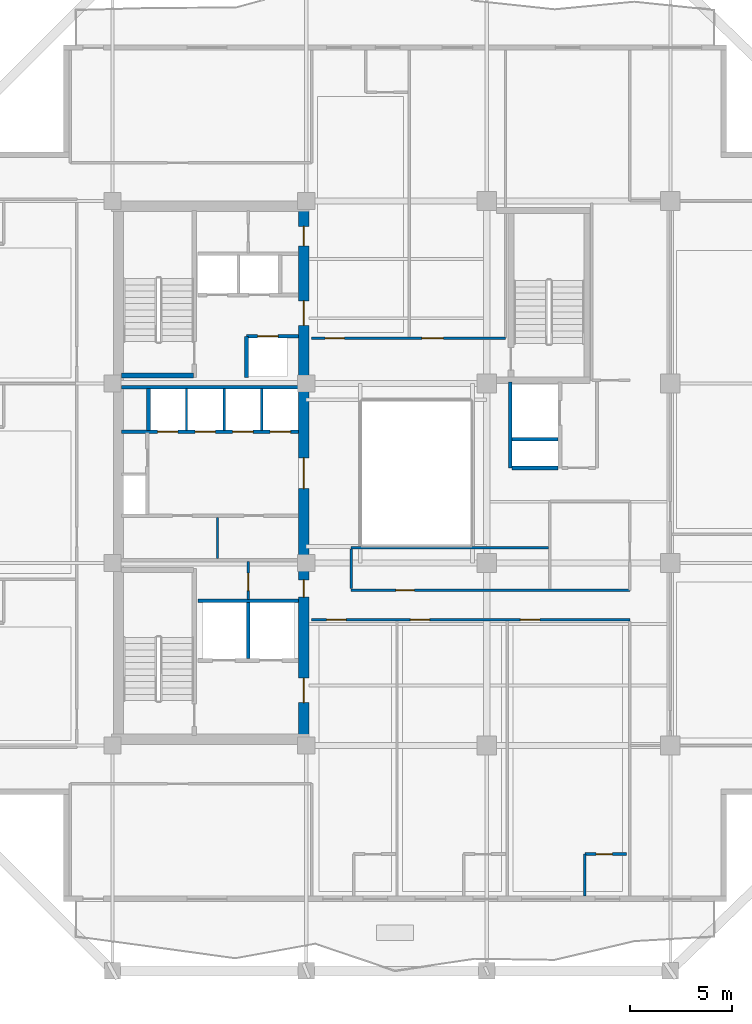
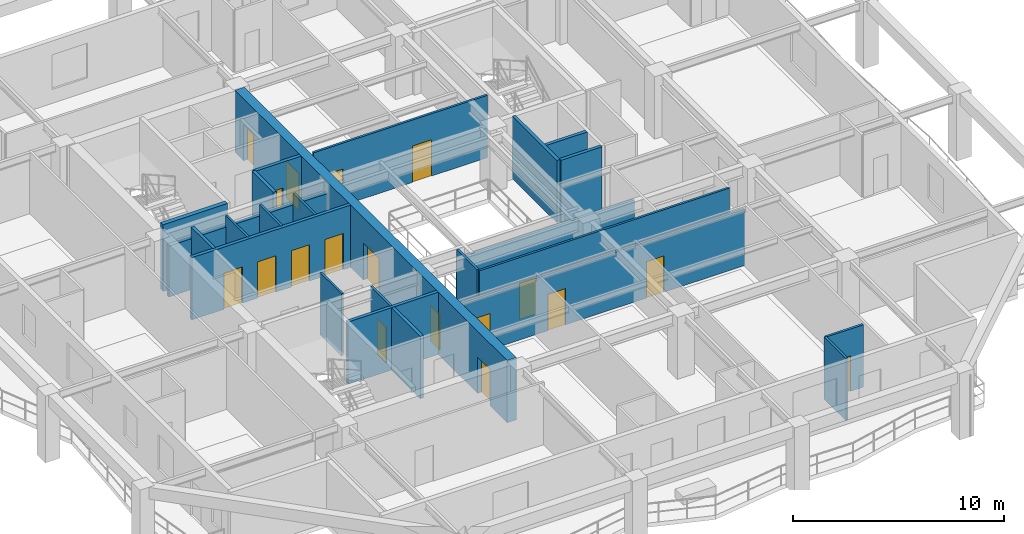
# One storey, part 4 of 13: 24 walls, 18 doors, 18 openings.
"""IFC4 building model written with IfcOpenShell, lengths in metres."""

from ifc_helpers import new_model, si_unit, direction, frame, frame_2d, origin, place, context, subcontext, project, spatial, rectangle, extrude, material, layer, layer_set, type_object, element, fill, save


model = new_model("IFC4")

# Units and contexts
model_context = context("Model", 3, precision=1e-05, world=origin(), true_north=direction((0.0, 1.0)))
body_context = subcontext(model_context, "Body", "Model", "MODEL_VIEW")
ifc_project = project(units=[si_unit("LENGTHUNIT", "METRE"), si_unit("AREAUNIT", "SQUARE_METRE"), si_unit("VOLUMEUNIT", "CUBIC_METRE"), si_unit("PLANEANGLEUNIT", "RADIAN"), si_unit("MASSUNIT", "GRAM", prefix="KILO")], contexts=[model_context])

# Site, building, storey
site_placement = place(None, origin())
site = spatial("IfcSite", under=ifc_project, at=site_placement, CompositionType="ELEMENT")
building_placement = place(site_placement, origin())
building = spatial("IfcBuilding", under=site, at=building_placement, Name="Kundavana Baori Tower", CompositionType="ELEMENT")
storey_placement = place(building_placement, frame((0.0, 0.0, 177.14990234375)))
storey = spatial("IfcBuildingStorey", under=building, at=storey_placement, Name="L43", CompositionType="ELEMENT", Elevation=177.14990234375)

# Wall
ifc_material_1 = material(Name="Concrete C50/60", Category="concrete")
ifc_layer_1 = layer(ifc_material_1, 0.39990234375, Name="WL-CORE-400")
ifc_layer_set_1 = layer_set([ifc_layer_1], Name="Concrete C50/60")
wall_type_1 = type_object("IfcWallType", Name="WL-CORE-400", PredefinedType="SHEAR", material=ifc_layer_set_1)
wall_1_placement = place(storey_placement, frame((15.89990234375, 33.389892578125, 0.0), z_axis=(0.0, 0.0, 1.0), x_axis=(1.0, 0.0, 0.0)))
element("IfcWall", 1, at=wall_1_placement, inside=storey, type_object=wall_type_1, Name="WL-L43-ST2-S", PredefinedType="SHEAR", context=body_context, shape_type="SweptSolid", body=[
    extrude(rectangle(XDim=3.52001953125, YDim=0.239990234375, at=frame_2d((1.760009765625, 0.0))), origin(), (0.0, 0.0, 1.0), 3.85009765625),
])

# Wall, openings, doors
ifc_material_2 = material(Name="Concrete C50/60", Category="concrete")
ifc_layer_2 = layer(ifc_material_2, 0.5, Name="WL-CORE-500")
ifc_layer_set_2 = layer_set([ifc_layer_2], Name="Concrete C50/60")
wall_type_2 = type_object("IfcWallType", Name="WL-CORE-500", PredefinedType="SHEAR", material=ifc_layer_set_2)
wall_2_placement = place(storey_placement, frame((24.830078125, 15.739990234375, 0.0), z_axis=(0.0, 0.0, 1.0), x_axis=(0.0, 1.0, 0.0)))
wall_2 = element("IfcWall", 2, at=wall_2_placement, inside=storey, type_object=wall_type_2, Name="L43 Offset Core East Shear Wall", PredefinedType="SHEAR", context=body_context, shape_type="SweptSolid", body=[
    extrude(rectangle(XDim=25.760009765625, YDim=0.5, at=frame_2d((12.8798828125, 0.0))), origin(), (0.0, 0.0, 1.0), 3.60009765625),
])
opening_1_placement = place(wall_2_placement, frame((1.610107421875, 0.0, 0.0)))
opening_1 = element("IfcOpeningElement", 3, at=opening_1_placement, cuts=wall_2, Name="Opening FD-120", PredefinedType="OPENING", context=body_context, shape_type="SweptSolid", body=[
    extrude(rectangle(XDim=1.199951171875, YDim=2.10009765625, at=frame_2d((0.60009765625, 1.050048828125))), frame((0.0, 0.260009765625, 0.0), z_axis=(0.0, -1.0, 0.0), x_axis=(1.0, 0.0, 0.0)), (0.0, 0.0, 1.0), 0.52001953125),
])
opening_2_placement = place(wall_2_placement, frame((6.780029296875, 0.0, 0.0)))
opening_2 = element("IfcOpeningElement", 4, at=opening_2_placement, cuts=wall_2, Name="Opening FD-085", PredefinedType="OPENING", context=body_context, shape_type="SweptSolid", body=[
    extrude(rectangle(XDim=0.85009765625, YDim=2.06005859375, at=frame_2d((0.425048828125, 1.030029296875))), frame((0.0, 0.260009765625, 0.0), z_axis=(0.0, -1.0, 0.0), x_axis=(1.0, 0.0, 0.0)), (0.0, 0.0, 1.0), 0.52001953125),
])
opening_3_placement = place(wall_2_placement, frame((12.110107421875, 0.0, 0.0)))
opening_3 = element("IfcOpeningElement", 5, at=opening_3_placement, cuts=wall_2, Name="Opening FD-150", PredefinedType="OPENING", context=body_context, shape_type="SweptSolid", body=[
    extrude(rectangle(XDim=1.5, YDim=2.1201171875, at=frame_2d((0.75, 1.06005859375))), frame((0.0, 0.260009765625, 0.0), z_axis=(0.0, -1.0, 0.0), x_axis=(1.0, 0.0, 0.0)), (0.0, 0.0, 1.0), 0.52001953125),
])
opening_4_placement = place(wall_2_placement, frame((20.110107421875, 0.0, 0.0)))
opening_4 = element("IfcOpeningElement", 6, at=opening_4_placement, cuts=wall_2, Name="Opening FD-122", PredefinedType="OPENING", context=body_context, shape_type="SweptSolid", body=[
    extrude(rectangle(XDim=1.199951171875, YDim=2.1201171875, at=frame_2d((0.60009765625, 1.06005859375))), frame((0.0, 0.260009765625, 0.0), z_axis=(0.0, -1.0, 0.0), x_axis=(1.0, 0.0, 0.0)), (0.0, 0.0, 1.0), 0.52001953125),
])
opening_5_placement = place(wall_2_placement, frame((24.010009765625, 0.0, 0.0)))
opening_5 = element("IfcOpeningElement", 7, at=opening_5_placement, cuts=wall_2, Name="Opening FD-095", PredefinedType="OPENING", context=body_context, shape_type="SweptSolid", body=[
    extrude(rectangle(XDim=0.949951171875, YDim=2.10009765625, at=frame_2d((0.47509765625, 1.050048828125))), frame((0.0, 0.260009765625, 0.0), z_axis=(0.0, -1.0, 0.0), x_axis=(1.0, 0.0, 0.0)), (0.0, 0.0, 1.0), 0.52001953125),
])
ifc_material_3 = material(Name="Galvanised Steel Fire-Rated Door Leaf", Category="steel")
door_type_1 = type_object("IfcDoorType", Name="DR-FD120-1200", OperationType="NOTDEFINED", PredefinedType="DOOR", material=ifc_material_3)
door_1_placement = place(opening_1_placement, frame((1.199951171875, 0.0, 0.0), z_axis=(0.0, 0.0, 1.0), x_axis=(-1.0, 0.0, 0.0)))
door_1 = element("IfcDoor", 8, at=door_1_placement, inside=storey, type_object=door_type_1, Name="DR-L43-FFLOB-E", OperationType="SINGLE_SWING_RIGHT", OverallHeight=2.10009765625, OverallWidth=1.199951171875, PredefinedType="DOOR", context=body_context, shape_type="SweptSolid", body=[
    extrude(rectangle(XDim=1.199951171875, YDim=2.10009765625, at=frame_2d((0.60009765625, 1.050048828125))), frame((0.0, 0.02490234375, 0.0), z_axis=(0.0, -1.0, 0.0), x_axis=(1.0, 0.0, 0.0)), (0.0, 0.0, 1.0), 0.050048828125),
])
fill(opening_1, door_1)
ifc_material_4 = material(Name="Galvanised Steel Fire-Rated Door Leaf", Category="steel")
door_type_2 = type_object("IfcDoorType", Name="DR-FD60-1200", OperationType="NOTDEFINED", PredefinedType="DOOR", material=ifc_material_4)
door_2_placement = place(opening_4_placement, frame((1.199951171875, 0.0, 0.0), z_axis=(0.0, 0.0, 1.0), x_axis=(-1.0, 0.0, 0.0)))
door_2 = element("IfcDoor", 9, at=door_2_placement, inside=storey, type_object=door_type_2, Name="DR-L43-HRLOB-E", OperationType="SINGLE_SWING_RIGHT", OverallHeight=2.1201171875, OverallWidth=1.199951171875, PredefinedType="DOOR", context=body_context, shape_type="SweptSolid", body=[
    extrude(rectangle(XDim=1.199951171875, YDim=2.1201171875, at=frame_2d((0.60009765625, 1.06005859375))), frame((0.0, 0.02490234375, 0.0), z_axis=(0.0, -1.0, 0.0), x_axis=(1.0, 0.0, 0.0)), (0.0, 0.0, 1.0), 0.050048828125),
])
fill(opening_4, door_2)
ifc_material_5 = material(Name="Galvanised Steel Fire-Rated Door Leaf", Category="steel")
door_type_3 = type_object("IfcDoorType", Name="DR-FD60-1500", OperationType="NOTDEFINED", PredefinedType="DOOR", material=ifc_material_5)
door_3_placement = place(opening_3_placement, frame((1.5, 0.0, 0.0), z_axis=(0.0, 0.0, 1.0), x_axis=(-1.0, 0.0, 0.0)))
door_3 = element("IfcDoor", 10, at=door_3_placement, inside=storey, type_object=door_type_3, Name="DR-L43-LIFTHALL-E", OperationType="SINGLE_SWING_LEFT", OverallHeight=2.1201171875, OverallWidth=1.5, PredefinedType="DOOR", context=body_context, shape_type="SweptSolid", body=[
    extrude(rectangle(XDim=1.5, YDim=2.1201171875, at=frame_2d((0.75, 1.06005859375))), frame((0.0, 0.02490234375, 0.0), z_axis=(0.0, -1.0, 0.0), x_axis=(1.0, 0.0, 0.0)), (0.0, 0.0, 1.0), 0.050048828125),
])
fill(opening_3, door_3)
ifc_material_6 = material(Name="Galvanised Steel Fire-Rated Door Leaf", Category="steel")
door_type_4 = type_object("IfcDoorType", Name="DR-FD60-850", OperationType="NOTDEFINED", PredefinedType="DOOR", material=ifc_material_6)
door_4_placement = place(opening_2_placement, frame((0.85009765625, 0.0, 0.0), z_axis=(0.0, 0.0, 1.0), x_axis=(-1.0, 0.0, 0.0)))
door_4 = element("IfcDoor", 11, at=door_4_placement, inside=storey, type_object=door_type_4, Name="DR-L43-CSMK2", OperationType="SINGLE_SWING_RIGHT", OverallHeight=2.06005859375, OverallWidth=0.85009765625, PredefinedType="DOOR", context=body_context, shape_type="SweptSolid", body=[
    extrude(rectangle(XDim=0.85009765625, YDim=2.06005859375, at=frame_2d((0.425048828125, 1.030029296875))), frame((0.0, 0.02490234375, 0.0), z_axis=(0.0, -1.0, 0.0), x_axis=(1.0, 0.0, 0.0)), (0.0, 0.0, 1.0), 0.050048828125),
])
fill(opening_2, door_4)
ifc_material_7 = material(Name="Engineered Teak Fire-Rated Timber Door Leaf", Category="wood")
door_type_5 = type_object("IfcDoorType", Name="DR-FD60-950", OperationType="NOTDEFINED", PredefinedType="DOOR", material=ifc_material_7)
door_5_placement = place(opening_5_placement, frame((0.949951171875, 0.0, 0.0), z_axis=(0.0, 0.0, 1.0), x_axis=(-1.0, 0.0, 0.0)))
door_5 = element("IfcDoor", 12, at=door_5_placement, inside=storey, type_object=door_type_5, Name="DR-L43-CSRV2", OperationType="SINGLE_SWING_RIGHT", OverallHeight=2.10009765625, OverallWidth=0.949951171875, PredefinedType="DOOR", context=body_context, shape_type="SweptSolid", body=[
    extrude(rectangle(XDim=0.949951171875, YDim=2.10009765625, at=frame_2d((0.47509765625, 1.050048828125))), frame((0.0, 0.02490234375, 0.0), z_axis=(0.0, -1.0, 0.0), x_axis=(1.0, 0.0, 0.0)), (0.0, 0.0, 1.0), 0.050048828125),
])
fill(opening_5, door_5)

# Wall, opening, door
ifc_material_8 = material(Name="Acoustic Gypsum Plasterboard on Galvanised Steel Studs", Category="steel")
ifc_layer_3 = layer(ifc_material_8, 0.1201171875, Name="WL-PART-120")
ifc_layer_set_3 = layer_set([ifc_layer_3], Name="Acoustic Gypsum Plasterboard on Galvanised Steel Studs")
wall_type_3 = type_object("IfcWallType", Name="WL-PART-120", PredefinedType="PARTITIONING", material=ifc_layer_set_3)
wall_3_placement = place(storey_placement, frame((22.10009765625, 22.39990234375, 0.0), z_axis=(0.0, 0.0, 1.0), x_axis=(0.0, 1.0, 0.0)))
wall_3 = element("IfcWall", 13, at=wall_3_placement, inside=storey, type_object=wall_type_3, Name="WL-L43-CSMK-D1", PredefinedType="PARTITIONING", context=body_context, shape_type="SweptSolid", body=[
    extrude(rectangle(XDim=1.880126953125, YDim=0.1201171875, at=frame_2d((0.93994140625, 0.0))), origin(), (0.0, 0.0, 1.0), 3.60009765625),
])
opening_6_placement = place(wall_3_placement, frame((0.449951171875, 0.0, 0.0)))
opening_6 = element("IfcOpeningElement", 14, at=opening_6_placement, cuts=wall_3, Name="Opening FD-085", PredefinedType="OPENING", context=body_context, shape_type="SweptSolid", body=[
    extrude(rectangle(XDim=0.85009765625, YDim=2.06005859375, at=frame_2d((0.425048828125, 1.030029296875))), frame((0.0, 0.070068359375, 0.0), z_axis=(0.0, -1.0, 0.0), x_axis=(1.0, 0.0, 0.0)), (0.0, 0.0, 1.0), 0.14013671875),
])
door_6_placement = place(opening_6_placement, origin())
door_6 = element("IfcDoor", 15, at=door_6_placement, inside=storey, type_object=door_type_4, Name="DR-L43-CSMK1", OperationType="SINGLE_SWING_LEFT", OverallHeight=2.06005859375, OverallWidth=0.85009765625, PredefinedType="DOOR", context=body_context, shape_type="SweptSolid", body=[
    extrude(rectangle(XDim=0.85009765625, YDim=2.06005859375, at=frame_2d((0.425048828125, 1.030029296875))), frame((0.0, 0.02490234375, 0.0), z_axis=(0.0, -1.0, 0.0), x_axis=(1.0, 0.0, 0.0)), (0.0, 0.0, 1.0), 0.050048828125),
])
fill(opening_6, door_6)

# Walls
wall_4_placement = place(storey_placement, frame((20.60009765625, 24.419921875, 0.0), z_axis=(0.0, 0.0, 1.0), x_axis=(0.0, 1.0, 0.0)))
element("IfcWall", 16, at=wall_4_placement, inside=storey, type_object=wall_type_3, Name="WL-L43-FRLOW-DIV", PredefinedType="PARTITIONING", context=body_context, shape_type="SweptSolid", body=[
    extrude(rectangle(XDim=2.02001953125, YDim=0.1201171875, at=frame_2d((1.010009765625, 0.0))), origin(), (0.0, 0.0, 1.0), 3.60009765625),
])
for number, where, z_axis, x_axis, name in (
    (17, (19.080078125, 30.699951171875, 0.0), (0.0, 0.0, 1.0), (0.0, 1.0, 0.0), "WL-L43-LPMID-D1"),
    (18, (20.919921875, 30.699951171875, 0.0), (0.0, 0.0, 1.0), (0.0, 1.0, 0.0), "WL-L43-LPMID-D2"),
    (19, (22.760009765625, 30.699951171875, 0.0), (0.0, 0.0, 1.0), (0.0, 1.0, 0.0), "WL-L43-LPMID-D3"),
):
    element("IfcWall", number, at=place(storey_placement, frame(where, z_axis=z_axis, x_axis=x_axis)), inside=storey, type_object=wall_type_3, Name=name, PredefinedType="PARTITIONING", context=body_context, shape_type="SweptSolid", body=[
        extrude(rectangle(XDim=2.050048828125, YDim=0.1201171875, at=frame_2d((1.02490234375, 0.0))), origin(), (0.0, 0.0, 1.0), 3.60009765625),
    ])

# Wall, openings, doors
wall_5_placement = place(storey_placement, frame((25.219970703125, 21.419921875, 0.0), z_axis=(0.0, 0.0, 1.0), x_axis=(1.0, 0.0, 0.0)))
wall_5 = element("IfcWall", 20, at=wall_5_placement, inside=storey, type_object=wall_type_3, Name="WL-L43-HS", PredefinedType="PARTITIONING", context=body_context, shape_type="SweptSolid", body=[
    extrude(rectangle(XDim=15.60009765625, YDim=0.1201171875, at=frame_2d((7.800048828125, 0.0))), origin(), (0.0, 0.0, 1.0), 3.25),
])
opening_7_placement = place(wall_5_placement, frame((0.72998046875, 0.0, 0.0)))
opening_7 = element("IfcOpeningElement", 21, at=opening_7_placement, cuts=wall_5, Name="Opening FD-095", PredefinedType="OPENING", context=body_context, shape_type="SweptSolid", body=[
    extrude(rectangle(XDim=0.949951171875, YDim=2.10009765625, at=frame_2d((0.47509765625, 1.050048828125))), frame((0.0, 0.070068359375, 0.0), z_axis=(0.0, -1.0, 0.0), x_axis=(1.0, 0.0, 0.0)), (0.0, 0.0, 1.0), 0.14013671875),
])
opening_8_placement = place(wall_5_placement, frame((4.830078125, 0.0, 0.0)))
opening_8 = element("IfcOpeningElement", 22, at=opening_8_placement, cuts=wall_5, Name="Opening FD-095", PredefinedType="OPENING", context=body_context, shape_type="SweptSolid", body=[
    extrude(rectangle(XDim=0.949951171875, YDim=2.10009765625, at=frame_2d((0.47509765625, 1.050048828125))), frame((0.0, 0.070068359375, 0.0), z_axis=(0.0, -1.0, 0.0), x_axis=(1.0, 0.0, 0.0)), (0.0, 0.0, 1.0), 0.14013671875),
])
opening_9_placement = place(wall_5_placement, frame((10.22998046875, 0.0, 0.0)))
opening_9 = element("IfcOpeningElement", 23, at=opening_9_placement, cuts=wall_5, Name="Opening FD-095", PredefinedType="OPENING", context=body_context, shape_type="SweptSolid", body=[
    extrude(rectangle(XDim=0.949951171875, YDim=2.10009765625, at=frame_2d((0.47509765625, 1.050048828125))), frame((0.0, 0.070068359375, 0.0), z_axis=(0.0, -1.0, 0.0), x_axis=(1.0, 0.0, 0.0)), (0.0, 0.0, 1.0), 0.14013671875),
])
door_7_placement = place(opening_7_placement, frame((0.949951171875, 0.0, 0.0), z_axis=(0.0, 0.0, 1.0), x_axis=(-1.0, 0.0, 0.0)))
door_7 = element("IfcDoor", 24, at=door_7_placement, inside=storey, type_object=door_type_5, Name="DR-L43-HK-S1-ENT", OperationType="SINGLE_SWING_RIGHT", OverallHeight=2.10009765625, OverallWidth=0.949951171875, PredefinedType="DOOR", context=body_context, shape_type="SweptSolid", body=[
    extrude(rectangle(XDim=0.949951171875, YDim=2.10009765625, at=frame_2d((0.47509765625, 1.050048828125))), frame((0.0, 0.02490234375, 0.0), z_axis=(0.0, -1.0, 0.0), x_axis=(1.0, 0.0, 0.0)), (0.0, 0.0, 1.0), 0.050048828125),
])
fill(opening_7, door_7)
door_8_placement = place(opening_8_placement, frame((0.949951171875, 0.0, 0.0), z_axis=(0.0, 0.0, 1.0), x_axis=(-1.0, 0.0, 0.0)))
door_8 = element("IfcDoor", 25, at=door_8_placement, inside=storey, type_object=door_type_5, Name="DR-L43-HK-S2-ENT", OperationType="SINGLE_SWING_RIGHT", OverallHeight=2.10009765625, OverallWidth=0.949951171875, PredefinedType="DOOR", context=body_context, shape_type="SweptSolid", body=[
    extrude(rectangle(XDim=0.949951171875, YDim=2.10009765625, at=frame_2d((0.47509765625, 1.050048828125))), frame((0.0, 0.02490234375, 0.0), z_axis=(0.0, -1.0, 0.0), x_axis=(1.0, 0.0, 0.0)), (0.0, 0.0, 1.0), 0.050048828125),
])
fill(opening_8, door_8)
door_9_placement = place(opening_9_placement, frame((0.949951171875, 0.0, 0.0), z_axis=(0.0, 0.0, 1.0), x_axis=(-1.0, 0.0, 0.0)))
door_9 = element("IfcDoor", 26, at=door_9_placement, inside=storey, type_object=door_type_5, Name="DR-L43-HK-S3-ENT", OperationType="SINGLE_SWING_RIGHT", OverallHeight=2.10009765625, OverallWidth=0.949951171875, PredefinedType="DOOR", context=body_context, shape_type="SweptSolid", body=[
    extrude(rectangle(XDim=0.949951171875, YDim=2.10009765625, at=frame_2d((0.47509765625, 1.050048828125))), frame((0.0, 0.02490234375, 0.0), z_axis=(0.0, -1.0, 0.0), x_axis=(1.0, 0.0, 0.0)), (0.0, 0.0, 1.0), 0.050048828125),
])
fill(opening_9, door_9)

# Wall, opening, door
wall_6_placement = place(storey_placement, frame((27.14990234375, 22.860107421875, 0.0), z_axis=(0.0, 0.0, 1.0), x_axis=(1.0, 0.0, 0.0)))
wall_6 = element("IfcWall", 27, at=wall_6_placement, inside=storey, type_object=wall_type_3, Name="WL-L43-HST", PredefinedType="PARTITIONING", context=body_context, shape_type="SweptSolid", body=[
    extrude(rectangle(XDim=13.670166015625, YDim=0.1201171875, at=frame_2d((6.8349609375, 0.0))), origin(), (0.0, 0.0, 1.0), 3.60009765625),
])
opening_10_placement = place(wall_6_placement, frame((2.199951171875, 0.0, 0.0)))
opening_10 = element("IfcOpeningElement", 28, at=opening_10_placement, cuts=wall_6, Name="Opening ID-090", PredefinedType="OPENING", context=body_context, shape_type="SweptSolid", body=[
    extrude(rectangle(XDim=0.89990234375, YDim=2.080078125, at=frame_2d((0.449951171875, 1.0400390625))), frame((0.0, 0.070068359375, 0.0), z_axis=(0.0, -1.0, 0.0), x_axis=(1.0, 0.0, 0.0)), (0.0, 0.0, 1.0), 0.14013671875),
])
ifc_material_9 = material(Name="Engineered Teak Solid-Core Timber Veneer", Category="wood")
door_type_6 = type_object("IfcDoorType", Name="DR-INT-900", OperationType="NOTDEFINED", PredefinedType="DOOR", material=ifc_material_9)
door_10_placement = place(opening_10_placement, origin())
door_10 = element("IfcDoor", 29, at=door_10_placement, inside=storey, type_object=door_type_6, Name="DR-L43-HPNT", OperationType="SINGLE_SWING_LEFT", OverallHeight=2.080078125, OverallWidth=0.89990234375, PredefinedType="DOOR", context=body_context, shape_type="SweptSolid", body=[
    extrude(rectangle(XDim=0.89990234375, YDim=2.080078125, at=frame_2d((0.449951171875, 1.0400390625))), frame((0.0, 0.02490234375, 0.0), z_axis=(0.0, -1.0, 0.0), x_axis=(1.0, 0.0, 0.0)), (0.0, 0.0, 1.0), 0.050048828125),
])
fill(opening_10, door_10)

# Wall, openings, doors
wall_7_placement = place(storey_placement, frame((25.219970703125, 35.219970703125, 0.0), z_axis=(0.0, 0.0, 1.0), x_axis=(1.0, 0.0, 0.0)))
wall_7 = element("IfcWall", 30, at=wall_7_placement, inside=storey, type_object=wall_type_3, Name="WL-L43-HN", PredefinedType="PARTITIONING", context=body_context, shape_type="SweptSolid", body=[
    extrude(rectangle(XDim=9.5, YDim=0.1201171875, at=frame_2d((4.75, 0.0))), origin(), (0.0, 0.0, 1.0), 3.60009765625),
])
opening_11_placement = place(wall_7_placement, frame((0.64990234375, 0.0, 0.0)))
opening_11 = element("IfcOpeningElement", 31, at=opening_11_placement, cuts=wall_7, Name="Opening FD-095", PredefinedType="OPENING", context=body_context, shape_type="SweptSolid", body=[
    extrude(rectangle(XDim=0.949951171875, YDim=2.10009765625, at=frame_2d((0.47509765625, 1.050048828125))), frame((0.0, 0.070068359375, 0.0), z_axis=(0.0, -1.0, 0.0), x_axis=(1.0, 0.0, 0.0)), (0.0, 0.0, 1.0), 0.14013671875),
])
opening_12_placement = place(wall_7_placement, frame((5.39990234375, 0.0, 0.0)))
opening_12 = element("IfcOpeningElement", 32, at=opening_12_placement, cuts=wall_7, Name="Opening ID-105", PredefinedType="OPENING", context=body_context, shape_type="SweptSolid", body=[
    extrude(rectangle(XDim=1.050048828125, YDim=2.10009765625, at=frame_2d((0.52490234375, 1.050048828125))), frame((0.0, 0.070068359375, 0.0), z_axis=(0.0, -1.0, 0.0), x_axis=(1.0, 0.0, 0.0)), (0.0, 0.0, 1.0), 0.14013671875),
])
door_11_placement = place(opening_11_placement, origin())
door_11 = element("IfcDoor", 33, at=door_11_placement, inside=storey, type_object=door_type_5, Name="DR-L43-HK-N1-ENT", OperationType="SINGLE_SWING_LEFT", OverallHeight=2.10009765625, OverallWidth=0.949951171875, PredefinedType="DOOR", context=body_context, shape_type="SweptSolid", body=[
    extrude(rectangle(XDim=0.949951171875, YDim=2.10009765625, at=frame_2d((0.47509765625, 1.050048828125))), frame((0.0, 0.02490234375, 0.0), z_axis=(0.0, -1.0, 0.0), x_axis=(1.0, 0.0, 0.0)), (0.0, 0.0, 1.0), 0.050048828125),
])
fill(opening_11, door_11)
ifc_material_10 = material(Name="Engineered Teak Solid-Core Timber Veneer", Category="wood")
door_type_7 = type_object("IfcDoorType", Name="DR-INT-1050", OperationType="NOTDEFINED", PredefinedType="DOOR", material=ifc_material_10)
door_12_placement = place(opening_12_placement, origin())
door_12 = element("IfcDoor", 34, at=door_12_placement, inside=storey, type_object=door_type_7, Name="DR-L43-HLNG", OperationType="SINGLE_SWING_RIGHT", OverallHeight=2.10009765625, OverallWidth=1.050048828125, PredefinedType="DOOR", context=body_context, shape_type="SweptSolid", body=[
    extrude(rectangle(XDim=1.050048828125, YDim=2.10009765625, at=frame_2d((0.52490234375, 1.050048828125))), frame((0.0, 0.02490234375, 0.0), z_axis=(0.0, -1.0, 0.0), x_axis=(1.0, 0.0, 0.0)), (0.0, 0.0, 1.0), 0.050048828125),
])
fill(opening_12, door_12)

# Walls
wall_8_placement = place(storey_placement, frame((27.14990234375, 24.949951171875, 0.0), z_axis=(0.0, 0.0, 1.0), x_axis=(1.0, 0.0, 0.0)))
element("IfcWall", 35, at=wall_8_placement, inside=storey, type_object=wall_type_3, Name="WL-L43-HPN1", PredefinedType="PARTITIONING", context=body_context, shape_type="SweptSolid", body=[
    extrude(rectangle(XDim=9.670166015625, YDim=0.1201171875, at=frame_2d((4.8349609375, 0.0))), origin(), (0.0, 0.0, 1.0), 3.050048828125),
])
wall_9_placement = place(storey_placement, frame((27.14990234375, 22.93994140625, 0.0), z_axis=(0.0, 0.0, 1.0), x_axis=(0.0, 1.0, 0.0)))
element("IfcWall", 36, at=wall_9_placement, inside=storey, type_object=wall_type_3, Name="WL-L43-HPN2", PredefinedType="PARTITIONING", context=body_context, shape_type="SweptSolid", body=[
    extrude(rectangle(XDim=1.93994140625, YDim=0.1201171875, at=frame_2d((0.969970703125, 0.0))), origin(), (0.0, 0.0, 1.0), 3.60009765625),
])
ifc_material_11 = material(Name="Autoclaved Aerated Concrete Blockwork Masonry", Category="masonry")
ifc_layer_4 = layer(ifc_material_11, 0.179931640625, Name="WL-SHAFT-180")
ifc_layer_set_4 = layer_set([ifc_layer_4], Name="Autoclaved Aerated Concrete Blockwork Masonry")
wall_type_4 = type_object("IfcWallType", Name="WL-SHAFT-180", PredefinedType="SOLIDWALL", material=ifc_layer_set_4)
wall_10_placement = place(storey_placement, frame((22.10009765625, 19.510009765625, 0.0), z_axis=(0.0, 0.0, 1.0), x_axis=(0.0, 1.0, 0.0)))
element("IfcWall", 37, at=wall_10_placement, inside=storey, type_object=wall_type_4, Name="WL-L43-FFL-MID", PredefinedType="SOLIDWALL", context=body_context, shape_type="SweptSolid", body=[
    extrude(rectangle(XDim=2.739990234375, YDim=0.179931640625, at=frame_2d((1.3701171875, 0.0))), origin(), (0.0, 0.0, 1.0), 3.60009765625),
])
wall_11_placement = place(storey_placement, frame((19.639892578125, 22.340087890625, 0.0), z_axis=(0.0, 0.0, 1.0), x_axis=(1.0, 0.0, 0.0)))
element("IfcWall", 38, at=wall_11_placement, inside=storey, type_object=wall_type_4, Name="WL-L43-FFL-N", PredefinedType="SOLIDWALL", context=body_context, shape_type="SweptSolid", body=[
    extrude(rectangle(XDim=4.940185546875, YDim=0.179931640625, at=frame_2d((2.47021484375, 0.0))), origin(), (0.0, 0.0, 1.0), 3.60009765625),
])

# Wall, openings, doors
wall_12_placement = place(storey_placement, frame((15.89990234375, 30.639892578125, 0.0), z_axis=(0.0, 0.0, 1.0), x_axis=(1.0, 0.0, 0.0)))
wall_12 = element("IfcWall", 39, at=wall_12_placement, inside=storey, type_object=wall_type_4, Name="WL-L43-LPMID-S", PredefinedType="SOLIDWALL", context=body_context, shape_type="SweptSolid", body=[
    extrude(rectangle(XDim=8.68017578125, YDim=0.179931640625, at=frame_2d((4.340087890625, 0.0))), origin(), (0.0, 0.0, 1.0), 3.60009765625),
])
opening_13_placement = place(wall_12_placement, frame((1.760009765625, 0.0, 0.0)))
opening_13 = element("IfcOpeningElement", 40, at=opening_13_placement, cuts=wall_12, Name="Opening LD-100", PredefinedType="OPENING", context=body_context, shape_type="SweptSolid", body=[
    extrude(rectangle(XDim=1.0, YDim=2.10009765625, at=frame_2d((0.5, 1.050048828125))), frame((0.0, 0.10009765625, 0.0), z_axis=(0.0, -1.0, 0.0), x_axis=(1.0, 0.0, 0.0)), (0.0, 0.0, 1.0), 0.199951171875),
])
opening_14_placement = place(wall_12_placement, frame((3.60009765625, 0.0, 0.0)))
opening_14 = element("IfcOpeningElement", 41, at=opening_14_placement, cuts=wall_12, Name="Opening LD-100", PredefinedType="OPENING", context=body_context, shape_type="SweptSolid", body=[
    extrude(rectangle(XDim=1.0, YDim=2.10009765625, at=frame_2d((0.5, 1.050048828125))), frame((0.0, 0.10009765625, 0.0), z_axis=(0.0, -1.0, 0.0), x_axis=(1.0, 0.0, 0.0)), (0.0, 0.0, 1.0), 0.199951171875),
])
opening_15_placement = place(wall_12_placement, frame((5.43994140625, 0.0, 0.0)))
opening_15 = element("IfcOpeningElement", 42, at=opening_15_placement, cuts=wall_12, Name="Opening LD-100", PredefinedType="OPENING", context=body_context, shape_type="SweptSolid", body=[
    extrude(rectangle(XDim=1.0, YDim=2.10009765625, at=frame_2d((0.5, 1.050048828125))), frame((0.0, 0.10009765625, 0.0), z_axis=(0.0, -1.0, 0.0), x_axis=(1.0, 0.0, 0.0)), (0.0, 0.0, 1.0), 0.199951171875),
])
opening_16_placement = place(wall_12_placement, frame((7.280029296875, 0.0, 0.0)))
opening_16 = element("IfcOpeningElement", 43, at=opening_16_placement, cuts=wall_12, Name="Opening LD-100", PredefinedType="OPENING", context=body_context, shape_type="SweptSolid", body=[
    extrude(rectangle(XDim=1.0, YDim=2.10009765625, at=frame_2d((0.5, 1.050048828125))), frame((0.0, 0.10009765625, 0.0), z_axis=(0.0, -1.0, 0.0), x_axis=(1.0, 0.0, 0.0)), (0.0, 0.0, 1.0), 0.199951171875),
])
ifc_material_12 = material(Name="Galvanised Steel Fire-Rated Door Leaf", Category="steel")
door_type_8 = type_object("IfcDoorType", Name="DR-SLIDE-LD1000", OperationType="NOTDEFINED", PredefinedType="DOOR", material=ifc_material_12)
door_13_placement = place(opening_13_placement, frame((1.0, 0.0, 0.0), z_axis=(0.0, 0.0, 1.0), x_axis=(-1.0, 0.0, 0.0)))
door_13 = element("IfcDoor", 44, at=door_13_placement, inside=storey, type_object=door_type_8, Name="DR-L43-LD-LP-05", OperationType="DOUBLE_DOOR_SLIDING", OverallHeight=2.10009765625, OverallWidth=1.0, PredefinedType="DOOR", context=body_context, shape_type="SweptSolid", body=[
    extrude(rectangle(XDim=1.0, YDim=2.10009765625, at=frame_2d((0.5, 1.050048828125))), frame((0.0, 0.02490234375, 0.0), z_axis=(0.0, -1.0, 0.0), x_axis=(1.0, 0.0, 0.0)), (0.0, 0.0, 1.0), 0.050048828125),
])
fill(opening_13, door_13)
door_14_placement = place(opening_14_placement, frame((1.0, 0.0, 0.0), z_axis=(0.0, 0.0, 1.0), x_axis=(-1.0, 0.0, 0.0)))
door_14 = element("IfcDoor", 45, at=door_14_placement, inside=storey, type_object=door_type_8, Name="DR-L43-LD-LP-06", OperationType="DOUBLE_DOOR_SLIDING", OverallHeight=2.10009765625, OverallWidth=1.0, PredefinedType="DOOR", context=body_context, shape_type="SweptSolid", body=[
    extrude(rectangle(XDim=1.0, YDim=2.10009765625, at=frame_2d((0.5, 1.050048828125))), frame((0.0, 0.02490234375, 0.0), z_axis=(0.0, -1.0, 0.0), x_axis=(1.0, 0.0, 0.0)), (0.0, 0.0, 1.0), 0.050048828125),
])
fill(opening_14, door_14)
door_15_placement = place(opening_15_placement, frame((1.0, 0.0, 0.0), z_axis=(0.0, 0.0, 1.0), x_axis=(-1.0, 0.0, 0.0)))
door_15 = element("IfcDoor", 46, at=door_15_placement, inside=storey, type_object=door_type_8, Name="DR-L43-LD-LP-07", OperationType="DOUBLE_DOOR_SLIDING", OverallHeight=2.10009765625, OverallWidth=1.0, PredefinedType="DOOR", context=body_context, shape_type="SweptSolid", body=[
    extrude(rectangle(XDim=1.0, YDim=2.10009765625, at=frame_2d((0.5, 1.050048828125))), frame((0.0, 0.02490234375, 0.0), z_axis=(0.0, -1.0, 0.0), x_axis=(1.0, 0.0, 0.0)), (0.0, 0.0, 1.0), 0.050048828125),
])
fill(opening_15, door_15)
door_16_placement = place(opening_16_placement, frame((1.0, 0.0, 0.0), z_axis=(0.0, 0.0, 1.0), x_axis=(-1.0, 0.0, 0.0)))
door_16 = element("IfcDoor", 47, at=door_16_placement, inside=storey, type_object=door_type_8, Name="DR-L43-LD-LP-08", OperationType="DOUBLE_DOOR_SLIDING", OverallHeight=2.10009765625, OverallWidth=1.0, PredefinedType="DOOR", context=body_context, shape_type="SweptSolid", body=[
    extrude(rectangle(XDim=1.0, YDim=2.10009765625, at=frame_2d((0.5, 1.050048828125))), frame((0.0, 0.02490234375, 0.0), z_axis=(0.0, -1.0, 0.0), x_axis=(1.0, 0.0, 0.0)), (0.0, 0.0, 1.0), 0.050048828125),
])
fill(opening_16, door_16)

# Walls
wall_13_placement = place(storey_placement, frame((15.89990234375, 32.820068359375, 0.0), z_axis=(0.0, 0.0, 1.0), x_axis=(1.0, 0.0, 0.0)))
element("IfcWall", 48, at=wall_13_placement, inside=storey, type_object=wall_type_4, Name="WL-L43-LPMID-N", PredefinedType="SOLIDWALL", context=body_context, shape_type="SweptSolid", body=[
    extrude(rectangle(XDim=8.68017578125, YDim=0.179931640625, at=frame_2d((4.340087890625, 0.0))), origin(), (0.0, 0.0, 1.0), 2.9501953125),
])
wall_14_placement = place(storey_placement, frame((17.219970703125, 30.699951171875, 0.0), z_axis=(0.0, 0.0, 1.0), x_axis=(0.0, 1.0, 0.0)))
element("IfcWall", 49, at=wall_14_placement, inside=storey, type_object=wall_type_4, Name="WL-L43-LPMID-W", PredefinedType="SOLIDWALL", context=body_context, shape_type="SweptSolid", body=[
    extrude(rectangle(XDim=2.050048828125, YDim=0.179931640625, at=frame_2d((1.02490234375, 0.0))), origin(), (0.0, 0.0, 1.0), 3.60009765625),
])

# Wall, opening, door
wall_15_placement = place(storey_placement, frame((22.02001953125, 35.31005859375, 0.0), z_axis=(0.0, 0.0, 1.0), x_axis=(1.0, 0.0, 0.0)))
wall_15 = element("IfcWall", 50, at=wall_15_placement, inside=storey, type_object=wall_type_4, Name="WL-L43-LP11-N", PredefinedType="SOLIDWALL", context=body_context, shape_type="SweptSolid", body=[
    extrude(rectangle(XDim=2.56005859375, YDim=0.179931640625, at=frame_2d((1.280029296875, 0.0))), origin(), (0.0, 0.0, 1.0), 3.60009765625),
])
opening_17_placement = place(wall_15_placement, frame((0.550048828125, 0.0, 0.0)))
opening_17 = element("IfcOpeningElement", 51, at=opening_17_placement, cuts=wall_15, Name="Opening LD-100", PredefinedType="OPENING", context=body_context, shape_type="SweptSolid", body=[
    extrude(rectangle(XDim=1.0, YDim=2.10009765625, at=frame_2d((0.5, 1.050048828125))), frame((0.0, 0.10009765625, 0.0), z_axis=(0.0, -1.0, 0.0), x_axis=(1.0, 0.0, 0.0)), (0.0, 0.0, 1.0), 0.199951171875),
])
door_17_placement = place(opening_17_placement, origin())
door_17 = element("IfcDoor", 52, at=door_17_placement, inside=storey, type_object=door_type_8, Name="DR-L43-LD-LP11", OperationType="DOUBLE_DOOR_SLIDING", OverallHeight=2.10009765625, OverallWidth=1.0, PredefinedType="DOOR", context=body_context, shape_type="SweptSolid", body=[
    extrude(rectangle(XDim=1.0, YDim=2.10009765625, at=frame_2d((0.5, 1.050048828125))), frame((0.0, 0.02490234375, 0.0), z_axis=(0.0, -1.0, 0.0), x_axis=(1.0, 0.0, 0.0)), (0.0, 0.0, 1.0), 0.050048828125),
])
fill(opening_17, door_17)

# Walls
wall_16_placement = place(storey_placement, frame((22.02001953125, 33.300048828125, 0.0), z_axis=(0.0, 0.0, 1.0), x_axis=(0.0, 1.0, 0.0)))
element("IfcWall", 53, at=wall_16_placement, inside=storey, type_object=wall_type_4, Name="WL-L43-LP11-W", PredefinedType="SOLIDWALL", context=body_context, shape_type="SweptSolid", body=[
    extrude(rectangle(XDim=2.010009765625, YDim=0.179931640625, at=frame_2d((1.0048828125, 0.0))), origin(), (0.0, 0.0, 1.0), 3.60009765625),
])
wall_17_placement = place(storey_placement, frame((34.9599609375, 28.860107421875, 0.0), z_axis=(0.0, 0.0, 1.0), x_axis=(0.0, 1.0, 0.0)))
element("IfcWall", 54, at=wall_17_placement, inside=storey, type_object=wall_type_4, Name="WL-L43-SVL-W", PredefinedType="SOLIDWALL", context=body_context, shape_type="SweptSolid", body=[
    extrude(rectangle(XDim=4.219970703125, YDim=0.179931640625, at=frame_2d((2.10986328125, 0.0))), origin(), (0.0, 0.0, 1.0), 3.60009765625),
])
for number, where, z_axis, x_axis, name in (
    (55, (35.050048828125, 28.860107421875, 0.0), (0.0, 0.0, 1.0), (1.0, 0.0, 0.0), "WL-L43-SVL-S"),
    (56, (35.050048828125, 30.27001953125, 0.0), (0.0, 0.0, 1.0), (1.0, 0.0, 0.0), "WL-L43-SVL-M"),
):
    element("IfcWall", number, at=place(storey_placement, frame(where, z_axis=z_axis, x_axis=x_axis)), inside=storey, type_object=wall_type_4, Name=name, PredefinedType="SOLIDWALL", context=body_context, shape_type="SweptSolid", body=[
        extrude(rectangle(XDim=2.25, YDim=0.179931640625, at=frame_2d((1.125, 0.0))), origin(), (0.0, 0.0, 1.0), 3.60009765625),
    ])
ifc_material_13 = material(Name="Autoclaved Aerated Concrete Blockwork Masonry", Category="masonry")
ifc_layer_5 = layer(ifc_material_13, 0.125, Name="WL-WET-120")
ifc_layer_set_5 = layer_set([ifc_layer_5], Name="Autoclaved Aerated Concrete Blockwork Masonry")
wall_type_5 = type_object("IfcWallType", Name="WL-WET-120", PredefinedType="PLUMBINGWALL", material=ifc_layer_set_5)
wall_18_placement = place(storey_placement, frame((38.610107421875, 7.8798828125, 0.0), z_axis=(0.0, 0.0, 1.0), x_axis=(0.0, 1.0, 0.0)))
element("IfcWall", 57, at=wall_18_placement, inside=storey, type_object=wall_type_5, Name="WL-L43-HK-S3-BW", PredefinedType="PLUMBINGWALL", context=body_context, shape_type="SweptSolid", body=[
    extrude(rectangle(XDim=2.050048828125, YDim=0.125, at=frame_2d((1.02490234375, 0.0))), origin(), (0.0, 0.0, 1.0), 3.60009765625),
])

# Wall, opening, door
wall_19_placement = place(storey_placement, frame((38.610107421875, 9.929931640625, 0.0), z_axis=(0.0, 0.0, 1.0), x_axis=(1.0, 0.0, 0.0)))
wall_19 = element("IfcWall", 58, at=wall_19_placement, inside=storey, type_object=wall_type_5, Name="WL-L43-HK-S3-BN", PredefinedType="PLUMBINGWALL", context=body_context, shape_type="SweptSolid", body=[
    extrude(rectangle(XDim=2.0498046875, YDim=0.125, at=frame_2d((1.02490234375, 0.0))), origin(), (0.0, 0.0, 1.0), 3.60009765625),
])
opening_18_placement = place(wall_19_placement, frame((0.550048828125, 0.0, 0.0)))
opening_18 = element("IfcOpeningElement", 59, at=opening_18_placement, cuts=wall_19, Name="Opening WD-080", PredefinedType="OPENING", context=body_context, shape_type="SweptSolid", body=[
    extrude(rectangle(XDim=0.800048828125, YDim=2.050048828125, at=frame_2d((0.39990234375, 1.02490234375))), frame((0.0, 0.072509765625, 0.0), z_axis=(0.0, -1.0, 0.0), x_axis=(1.0, 0.0, 0.0)), (0.0, 0.0, 1.0), 0.14501953125),
])
ifc_material_14 = material(Name="Engineered Teak Solid-Core Timber Veneer", Category="wood")
door_type_9 = type_object("IfcDoorType", Name="DR-WET-800", OperationType="NOTDEFINED", PredefinedType="DOOR", material=ifc_material_14)
door_18_placement = place(opening_18_placement, origin())
door_18 = element("IfcDoor", 60, at=door_18_placement, inside=storey, type_object=door_type_9, Name="DR-L43-HK-S3-ENS", OperationType="SINGLE_SWING_LEFT", OverallHeight=2.050048828125, OverallWidth=0.800048828125, PredefinedType="DOOR", context=body_context, shape_type="SweptSolid", body=[
    extrude(rectangle(XDim=0.800048828125, YDim=2.050048828125, at=frame_2d((0.39990234375, 1.02490234375))), frame((0.0, 0.02490234375, 0.0), z_axis=(0.0, -1.0, 0.0), x_axis=(1.0, 0.0, 0.0)), (0.0, 0.0, 1.0), 0.050048828125),
])
fill(opening_18, door_18)

save(model, "model.ifc")
